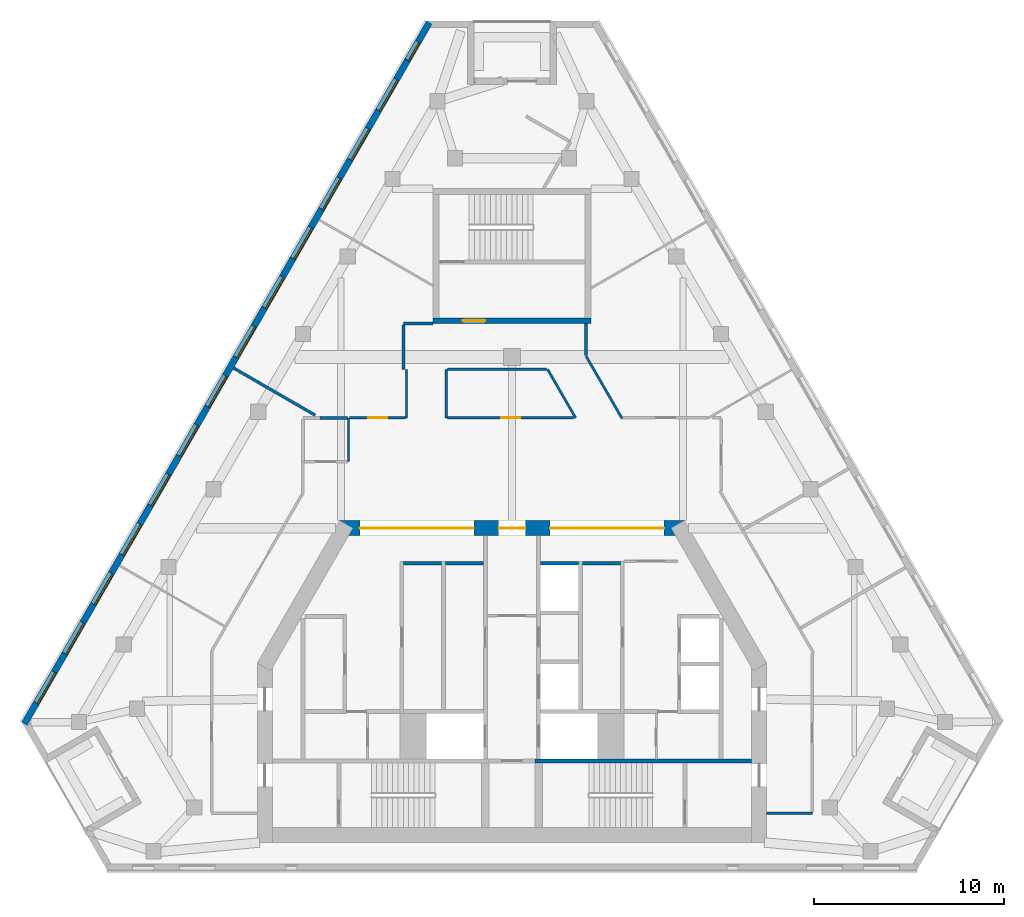
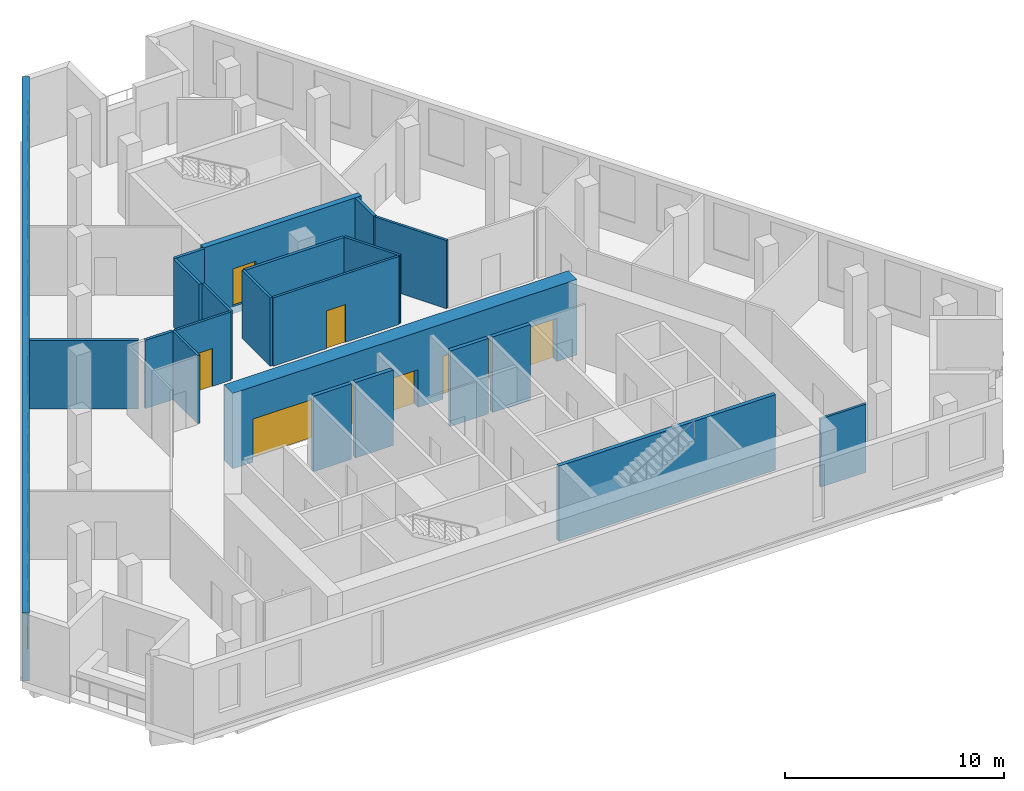
# One storey, part 4 of 8: 22 walls, 14 windows, 6 doors, 20 openings.
"""IFC4 building model written with IfcOpenShell, lengths in metres."""

from ifc_helpers import new_model, si_unit, direction, frame, frame_2d, origin, place, context, subcontext, project, spatial, rectangle, extrude, material, layer, layer_set, type_object, element, fill, save


model = new_model("IFC4")

# Units and contexts
model_context = context("Model", 3, precision=1e-05, world=origin(), true_north=direction((0.0, 1.0)))
body_context = subcontext(model_context, "Body", "Model", "MODEL_VIEW")
ifc_project = project(units=[si_unit("LENGTHUNIT", "METRE"), si_unit("AREAUNIT", "SQUARE_METRE"), si_unit("VOLUMEUNIT", "CUBIC_METRE"), si_unit("PLANEANGLEUNIT", "RADIAN"), si_unit("MASSUNIT", "GRAM", prefix="KILO")], contexts=[model_context])

# Site, building, storey
site_placement = place(None, origin())
site = spatial("IfcSite", under=ifc_project, at=site_placement, CompositionType="ELEMENT")
building_placement = place(site_placement, origin())
building = spatial("IfcBuilding", under=site, at=building_placement, Name="Fogline Exchange Tower", CompositionType="ELEMENT")
storey_placement = place(building_placement, frame((0.0, 0.0, 266.699951171875)))
storey = spatial("IfcBuildingStorey", under=building, at=storey_placement, Name="L60", CompositionType="ELEMENT", Elevation=266.699951171875)

# Walls
ifc_material_1 = material(Name="Concrete C40", Category="concrete")
ifc_layer_1 = layer(ifc_material_1, 0.199951171875)
ifc_layer_set_1 = layer_set([ifc_layer_1], Name="CW20R")
wall_type_1 = type_object("IfcWallType", Name="CW20R", PredefinedType="SOLIDWALL", material=ifc_layer_set_1)
wall_1_placement = place(storey_placement, frame((1.199951171875, 5.75, -0.39990234375), z_axis=(0.0, 0.0, 1.0), x_axis=(1.0, 0.0, 0.0)))
element("IfcWall", 1, at=wall_1_placement, inside=storey, type_object=wall_type_1, Name="Stair enclosure wall", PredefinedType="SOLIDWALL", context=body_context, shape_type="SweptSolid", body=[
    extrude(rectangle(XDim=11.400146484375, YDim=0.199951171875, at=frame_2d((5.7001953125, 0.0))), origin(), (0.0, 0.0, 1.0), 4.199951171875),
])
ifc_layer_2 = layer(ifc_material_1, 0.199951171875)
ifc_layer_set_2 = layer_set([ifc_layer_2], Name="CW20S")
wall_type_2 = type_object("IfcWallType", Name="CW20S", PredefinedType="SOLIDWALL", material=ifc_layer_set_2)
for number, where, z_axis, x_axis, name in (
    (2, (-5.699951171875, 16.14990234375, -0.39990234375), (0.0, 0.0, 1.0), (1.0, 0.0, 0.0), "Lift shaft wall"),
    (3, (-3.5, 16.14990234375, -0.39990234375), (0.0, 0.0, 1.0), (1.0, 0.0, 0.0), "Lift shaft wall"),
    (4, (3.699951171875, 16.14990234375, -0.39990234375), (0.0, 0.0, 1.0), (1.0, 0.0, 0.0), "Lift shaft wall"),
    (5, (1.5, 16.14990234375, -0.39990234375), (0.0, 0.0, 1.0), (1.0, 0.0, 0.0), "Lift shaft wall"),
):
    element("IfcWall", number, at=place(storey_placement, frame(where, z_axis=z_axis, x_axis=x_axis)), inside=storey, type_object=wall_type_2, Name=name, PredefinedType="SOLIDWALL", context=body_context, shape_type="SweptSolid", body=[
        extrude(rectangle(XDim=2.0, YDim=0.199951171875, at=frame_2d((1.0, 0.0))), origin(), (0.0, 0.0, 1.0), 4.199951171875),
    ])

# Wall, opening, door
ifc_layer_3 = layer(ifc_material_1, 0.300048828125)
ifc_layer_set_3 = layer_set([ifc_layer_3], Name="CW30")
wall_type_3 = type_object("IfcWallType", Name="CW30", PredefinedType="SOLIDWALL", material=ifc_layer_set_3)
wall_2_placement = place(storey_placement, frame((-4.14990234375, 28.906982421875, -0.39990234375), z_axis=(0.0, 0.0, 1.0), x_axis=(1.0, 0.0, 0.0)))
wall_2 = element("IfcWall", 6, at=wall_2_placement, inside=storey, type_object=wall_type_3, Name="Stair enclosure wall ST3", PredefinedType="SOLIDWALL", context=body_context, shape_type="SweptSolid", body=[
    extrude(rectangle(XDim=8.2998046875, YDim=0.300048828125, at=frame_2d((4.14990234375, 0.0))), origin(), (0.0, 0.0, 1.0), 4.199951171875),
])
opening_1_placement = place(wall_2_placement, frame((1.550048828125, 0.0, 0.39990234375)))
opening_1 = element("IfcOpeningElement", 7, at=opening_1_placement, cuts=wall_2, Name="Opening T19-C022", PredefinedType="OPENING", context=body_context, shape_type="SweptSolid", body=[
    extrude(rectangle(XDim=1.199951171875, YDim=2.10009765625, at=frame_2d((0.60009765625, 1.050048828125))), frame((0.0, 0.16015625, 0.0), z_axis=(0.0, -1.0, 0.0), x_axis=(1.0, 0.0, 0.0)), (0.0, 0.0, 1.0), 0.320068359375),
])
ifc_material_2 = material(Name="Steel and timber fire door", Category="steel")
door_type_1 = type_object("IfcDoorType", Name="D-FR1", OperationType="SINGLE_SWING_RIGHT", PredefinedType="DOOR", material=ifc_material_2)
door_1_placement = place(opening_1_placement, origin())
door_1 = element("IfcDoor", 8, at=door_1_placement, inside=storey, type_object=door_type_1, Name="Front room door ST3", OperationType="SINGLE_SWING_LEFT", OverallHeight=2.10009765625, OverallWidth=1.199951171875, PredefinedType="DOOR", context=body_context, shape_type="SweptSolid", body=[
    extrude(rectangle(XDim=1.199951171875, YDim=2.10009765625, at=frame_2d((0.60009765625, 1.050048828125))), frame((0.0, 0.02490234375, 0.0), z_axis=(0.0, -1.0, 0.0), x_axis=(1.0, 0.0, 0.0)), (0.0, 0.0, 1.0), 0.050048828125),
])
fill(opening_1, door_1)

# Wall, openings, windows
ifc_material_3 = material(Name="Brick masonry", Category="masonry")
ifc_layer_4 = layer(ifc_material_3, 0.340087890625)
ifc_layer_set_4 = layer_set([ifc_layer_4], Name="FW1")
wall_type_4 = type_object("IfcWallType", Name="FW1", PredefinedType="SOLIDWALL", material=ifc_layer_set_4)
wall_3_placement = place(storey_placement, frame((-4.352783203125, 44.5966796875, 0.0), z_axis=(0.0, 0.0, 1.0), x_axis=(-0.499998153541, -0.866026469835, 0.0)))
wall_3 = element("IfcWall", 9, at=wall_3_placement, inside=storey, type_object=wall_type_4, Name="Brick wall L60 W", PredefinedType="SOLIDWALL", context=body_context, shape_type="SweptSolid", body=[
    extrude(rectangle(XDim=42.593994140625, YDim=0.340087890625, at=frame_2d((21.296875, 0.0))), origin(), (0.0, 0.0, 1.0), 3.800048828125),
])
opening_2_placement = place(wall_3_placement, frame((3.445556640625, 0.0, 0.89990234375)))
opening_2 = element("IfcOpeningElement", 10, at=opening_2_placement, cuts=wall_3, Name="Opening W3", PredefinedType="OPENING", context=body_context, shape_type="SweptSolid", body=[
    extrude(rectangle(XDim=1.885009765625, YDim=2.60009765625, at=frame_2d((0.9423828125, 1.300048828125))), frame((0.0, 0.18017578125, 0.0), z_axis=(0.0, -1.0, 0.0), x_axis=(1.0, 0.0, 0.0)), (0.0, 0.0, 1.0), 0.360107421875),
])
opening_3_placement = place(wall_3_placement, frame((6.445556640625, 0.0, 0.89990234375)))
opening_3 = element("IfcOpeningElement", 11, at=opening_3_placement, cuts=wall_3, Name="Opening W3", PredefinedType="OPENING", context=body_context, shape_type="SweptSolid", body=[
    extrude(rectangle(XDim=1.885009765625, YDim=2.60009765625, at=frame_2d((0.9423828125, 1.300048828125))), frame((0.0, 0.18017578125, 0.0), z_axis=(0.0, -1.0, 0.0), x_axis=(1.0, 0.0, 0.0)), (0.0, 0.0, 1.0), 0.360107421875),
])
opening_4_placement = place(wall_3_placement, frame((9.445556640625, 0.0, 0.89990234375)))
opening_4 = element("IfcOpeningElement", 12, at=opening_4_placement, cuts=wall_3, Name="Opening W3", PredefinedType="OPENING", context=body_context, shape_type="SweptSolid", body=[
    extrude(rectangle(XDim=1.885009765625, YDim=2.60009765625, at=frame_2d((0.9423828125, 1.300048828125))), frame((0.0, 0.18017578125, 0.0), z_axis=(0.0, -1.0, 0.0), x_axis=(1.0, 0.0, 0.0)), (0.0, 0.0, 1.0), 0.360107421875),
])
opening_5_placement = place(wall_3_placement, frame((12.445556640625, 0.0, 0.89990234375)))
opening_5 = element("IfcOpeningElement", 13, at=opening_5_placement, cuts=wall_3, Name="Opening W3", PredefinedType="OPENING", context=body_context, shape_type="SweptSolid", body=[
    extrude(rectangle(XDim=1.885009765625, YDim=2.60009765625, at=frame_2d((0.9423828125, 1.300048828125))), frame((0.0, 0.18017578125, 0.0), z_axis=(0.0, -1.0, 0.0), x_axis=(1.0, 0.0, 0.0)), (0.0, 0.0, 1.0), 0.360107421875),
])
opening_6_placement = place(wall_3_placement, frame((15.445556640625, 0.0, 0.89990234375)))
opening_6 = element("IfcOpeningElement", 14, at=opening_6_placement, cuts=wall_3, Name="Opening W3", PredefinedType="OPENING", context=body_context, shape_type="SweptSolid", body=[
    extrude(rectangle(XDim=1.885009765625, YDim=2.60009765625, at=frame_2d((0.9423828125, 1.300048828125))), frame((0.0, 0.18017578125, 0.0), z_axis=(0.0, -1.0, 0.0), x_axis=(1.0, 0.0, 0.0)), (0.0, 0.0, 1.0), 0.360107421875),
])
opening_7_placement = place(wall_3_placement, frame((18.445556640625, 0.0, 0.89990234375)))
opening_7 = element("IfcOpeningElement", 15, at=opening_7_placement, cuts=wall_3, Name="Opening W3", PredefinedType="OPENING", context=body_context, shape_type="SweptSolid", body=[
    extrude(rectangle(XDim=1.885009765625, YDim=2.60009765625, at=frame_2d((0.9423828125, 1.300048828125))), frame((0.0, 0.18017578125, 0.0), z_axis=(0.0, -1.0, 0.0), x_axis=(1.0, 0.0, 0.0)), (0.0, 0.0, 1.0), 0.360107421875),
])
opening_8_placement = place(wall_3_placement, frame((21.445556640625, 0.0, 0.89990234375)))
opening_8 = element("IfcOpeningElement", 16, at=opening_8_placement, cuts=wall_3, Name="Opening W3", PredefinedType="OPENING", context=body_context, shape_type="SweptSolid", body=[
    extrude(rectangle(XDim=1.885009765625, YDim=2.60009765625, at=frame_2d((0.9423828125, 1.300048828125))), frame((0.0, 0.18017578125, 0.0), z_axis=(0.0, -1.0, 0.0), x_axis=(1.0, 0.0, 0.0)), (0.0, 0.0, 1.0), 0.360107421875),
])
opening_9_placement = place(wall_3_placement, frame((24.445556640625, 0.0, 0.89990234375)))
opening_9 = element("IfcOpeningElement", 17, at=opening_9_placement, cuts=wall_3, Name="Opening W3", PredefinedType="OPENING", context=body_context, shape_type="SweptSolid", body=[
    extrude(rectangle(XDim=1.885009765625, YDim=2.60009765625, at=frame_2d((0.9423828125, 1.300048828125))), frame((0.0, 0.18017578125, 0.0), z_axis=(0.0, -1.0, 0.0), x_axis=(1.0, 0.0, 0.0)), (0.0, 0.0, 1.0), 0.360107421875),
])
opening_10_placement = place(wall_3_placement, frame((27.445556640625, 0.0, 0.89990234375)))
opening_10 = element("IfcOpeningElement", 18, at=opening_10_placement, cuts=wall_3, Name="Opening W3", PredefinedType="OPENING", context=body_context, shape_type="SweptSolid", body=[
    extrude(rectangle(XDim=1.885009765625, YDim=2.60009765625, at=frame_2d((0.9423828125, 1.300048828125))), frame((0.0, 0.18017578125, 0.0), z_axis=(0.0, -1.0, 0.0), x_axis=(1.0, 0.0, 0.0)), (0.0, 0.0, 1.0), 0.360107421875),
])
opening_11_placement = place(wall_3_placement, frame((30.445556640625, 0.0, 0.89990234375)))
opening_11 = element("IfcOpeningElement", 19, at=opening_11_placement, cuts=wall_3, Name="Opening W3", PredefinedType="OPENING", context=body_context, shape_type="SweptSolid", body=[
    extrude(rectangle(XDim=1.885009765625, YDim=2.60009765625, at=frame_2d((0.9423828125, 1.300048828125))), frame((0.0, 0.18017578125, 0.0), z_axis=(0.0, -1.0, 0.0), x_axis=(1.0, 0.0, 0.0)), (0.0, 0.0, 1.0), 0.360107421875),
])
opening_12_placement = place(wall_3_placement, frame((33.445556640625, 0.0, 0.89990234375)))
opening_12 = element("IfcOpeningElement", 20, at=opening_12_placement, cuts=wall_3, Name="Opening W3", PredefinedType="OPENING", context=body_context, shape_type="SweptSolid", body=[
    extrude(rectangle(XDim=1.885009765625, YDim=2.60009765625, at=frame_2d((0.9423828125, 1.300048828125))), frame((0.0, 0.18017578125, 0.0), z_axis=(0.0, -1.0, 0.0), x_axis=(1.0, 0.0, 0.0)), (0.0, 0.0, 1.0), 0.360107421875),
])
opening_13_placement = place(wall_3_placement, frame((36.445556640625, 0.0, 0.89990234375)))
opening_13 = element("IfcOpeningElement", 21, at=opening_13_placement, cuts=wall_3, Name="Opening W3", PredefinedType="OPENING", context=body_context, shape_type="SweptSolid", body=[
    extrude(rectangle(XDim=1.885009765625, YDim=2.60009765625, at=frame_2d((0.9423828125, 1.300048828125))), frame((0.0, 0.18017578125, 0.0), z_axis=(0.0, -1.0, 0.0), x_axis=(1.0, 0.0, 0.0)), (0.0, 0.0, 1.0), 0.360107421875),
])
opening_14_placement = place(wall_3_placement, frame((39.445556640625, 0.0, 0.89990234375)))
opening_14 = element("IfcOpeningElement", 22, at=opening_14_placement, cuts=wall_3, Name="Opening W3", PredefinedType="OPENING", context=body_context, shape_type="SweptSolid", body=[
    extrude(rectangle(XDim=1.885009765625, YDim=2.60009765625, at=frame_2d((0.9423828125, 1.300048828125))), frame((0.0, 0.18017578125, 0.0), z_axis=(0.0, -1.0, 0.0), x_axis=(1.0, 0.0, 0.0)), (0.0, 0.0, 1.0), 0.360107421875),
])
opening_15_placement = place(wall_3_placement, frame((1.165283203125, 0.0, 0.89990234375)))
opening_15 = element("IfcOpeningElement", 23, at=opening_15_placement, cuts=wall_3, Name="Opening W4", PredefinedType="OPENING", context=body_context, shape_type="SweptSolid", body=[
    extrude(rectangle(XDim=1.114990234375, YDim=2.39990234375, at=frame_2d((0.5576171875, 1.199951171875))), frame((0.0, 0.18017578125, 0.0), z_axis=(0.0, -1.0, 0.0), x_axis=(1.0, 0.0, 0.0)), (0.0, 0.0, 1.0), 0.360107421875),
])
ifc_material_4 = material(Name="Aluminium and glass", Category="aluminium")
window_type_1 = type_object("IfcWindowType", Name="W3", PartitioningType="SINGLE_PANEL", PredefinedType="WINDOW", material=ifc_material_4)
window_1_placement = place(opening_2_placement, origin())
window_1 = element("IfcWindow", 24, at=window_1_placement, inside=storey, type_object=window_type_1, Name="W3 W3", OverallHeight=2.60009765625, OverallWidth=1.885009765625, PartitioningType="SINGLE_PANEL", PredefinedType="WINDOW", context=body_context, shape_type="SweptSolid", body=[
    extrude(rectangle(XDim=1.885009765625, YDim=2.60009765625, at=frame_2d((0.9423828125, 1.300048828125))), frame((0.0, 0.110107421875, 0.0), z_axis=(0.0, -1.0, 0.0), x_axis=(1.0, 0.0, 0.0)), (0.0, 0.0, 1.0), 0.06005859375),
])
fill(opening_2, window_1)
window_2_placement = place(opening_3_placement, origin())
window_2 = element("IfcWindow", 25, at=window_2_placement, inside=storey, type_object=window_type_1, Name="W3 W3", OverallHeight=2.60009765625, OverallWidth=1.885009765625, PartitioningType="SINGLE_PANEL", PredefinedType="WINDOW", context=body_context, shape_type="SweptSolid", body=[
    extrude(rectangle(XDim=1.885009765625, YDim=2.60009765625, at=frame_2d((0.9423828125, 1.300048828125))), frame((0.0, 0.110107421875, 0.0), z_axis=(0.0, -1.0, 0.0), x_axis=(1.0, 0.0, 0.0)), (0.0, 0.0, 1.0), 0.06005859375),
])
fill(opening_3, window_2)
window_3_placement = place(opening_4_placement, origin())
window_3 = element("IfcWindow", 26, at=window_3_placement, inside=storey, type_object=window_type_1, Name="W3 W3", OverallHeight=2.60009765625, OverallWidth=1.885009765625, PartitioningType="SINGLE_PANEL", PredefinedType="WINDOW", context=body_context, shape_type="SweptSolid", body=[
    extrude(rectangle(XDim=1.885009765625, YDim=2.60009765625, at=frame_2d((0.9423828125, 1.300048828125))), frame((0.0, 0.110107421875, 0.0), z_axis=(0.0, -1.0, 0.0), x_axis=(1.0, 0.0, 0.0)), (0.0, 0.0, 1.0), 0.06005859375),
])
fill(opening_4, window_3)
window_4_placement = place(opening_5_placement, origin())
window_4 = element("IfcWindow", 27, at=window_4_placement, inside=storey, type_object=window_type_1, Name="W3 W3", OverallHeight=2.60009765625, OverallWidth=1.885009765625, PartitioningType="SINGLE_PANEL", PredefinedType="WINDOW", context=body_context, shape_type="SweptSolid", body=[
    extrude(rectangle(XDim=1.885009765625, YDim=2.60009765625, at=frame_2d((0.9423828125, 1.300048828125))), frame((0.0, 0.110107421875, 0.0), z_axis=(0.0, -1.0, 0.0), x_axis=(1.0, 0.0, 0.0)), (0.0, 0.0, 1.0), 0.06005859375),
])
fill(opening_5, window_4)
window_5_placement = place(opening_6_placement, origin())
window_5 = element("IfcWindow", 28, at=window_5_placement, inside=storey, type_object=window_type_1, Name="W3 W3", OverallHeight=2.60009765625, OverallWidth=1.885009765625, PartitioningType="SINGLE_PANEL", PredefinedType="WINDOW", context=body_context, shape_type="SweptSolid", body=[
    extrude(rectangle(XDim=1.885009765625, YDim=2.60009765625, at=frame_2d((0.9423828125, 1.300048828125))), frame((0.0, 0.110107421875, 0.0), z_axis=(0.0, -1.0, 0.0), x_axis=(1.0, 0.0, 0.0)), (0.0, 0.0, 1.0), 0.06005859375),
])
fill(opening_6, window_5)
window_6_placement = place(opening_7_placement, origin())
window_6 = element("IfcWindow", 29, at=window_6_placement, inside=storey, type_object=window_type_1, Name="W3 W3", OverallHeight=2.60009765625, OverallWidth=1.885009765625, PartitioningType="SINGLE_PANEL", PredefinedType="WINDOW", context=body_context, shape_type="SweptSolid", body=[
    extrude(rectangle(XDim=1.885009765625, YDim=2.60009765625, at=frame_2d((0.9423828125, 1.300048828125))), frame((0.0, 0.110107421875, 0.0), z_axis=(0.0, -1.0, 0.0), x_axis=(1.0, 0.0, 0.0)), (0.0, 0.0, 1.0), 0.06005859375),
])
fill(opening_7, window_6)
window_7_placement = place(opening_8_placement, origin())
window_7 = element("IfcWindow", 30, at=window_7_placement, inside=storey, type_object=window_type_1, Name="W3 W3", OverallHeight=2.60009765625, OverallWidth=1.885009765625, PartitioningType="SINGLE_PANEL", PredefinedType="WINDOW", context=body_context, shape_type="SweptSolid", body=[
    extrude(rectangle(XDim=1.885009765625, YDim=2.60009765625, at=frame_2d((0.9423828125, 1.300048828125))), frame((0.0, 0.110107421875, 0.0), z_axis=(0.0, -1.0, 0.0), x_axis=(1.0, 0.0, 0.0)), (0.0, 0.0, 1.0), 0.06005859375),
])
fill(opening_8, window_7)
window_8_placement = place(opening_9_placement, origin())
window_8 = element("IfcWindow", 31, at=window_8_placement, inside=storey, type_object=window_type_1, Name="W3 W3", OverallHeight=2.60009765625, OverallWidth=1.885009765625, PartitioningType="SINGLE_PANEL", PredefinedType="WINDOW", context=body_context, shape_type="SweptSolid", body=[
    extrude(rectangle(XDim=1.885009765625, YDim=2.60009765625, at=frame_2d((0.9423828125, 1.300048828125))), frame((0.0, 0.110107421875, 0.0), z_axis=(0.0, -1.0, 0.0), x_axis=(1.0, 0.0, 0.0)), (0.0, 0.0, 1.0), 0.06005859375),
])
fill(opening_9, window_8)
window_9_placement = place(opening_10_placement, origin())
window_9 = element("IfcWindow", 32, at=window_9_placement, inside=storey, type_object=window_type_1, Name="W3 W3", OverallHeight=2.60009765625, OverallWidth=1.885009765625, PartitioningType="SINGLE_PANEL", PredefinedType="WINDOW", context=body_context, shape_type="SweptSolid", body=[
    extrude(rectangle(XDim=1.885009765625, YDim=2.60009765625, at=frame_2d((0.9423828125, 1.300048828125))), frame((0.0, 0.110107421875, 0.0), z_axis=(0.0, -1.0, 0.0), x_axis=(1.0, 0.0, 0.0)), (0.0, 0.0, 1.0), 0.06005859375),
])
fill(opening_10, window_9)
window_10_placement = place(opening_11_placement, origin())
window_10 = element("IfcWindow", 33, at=window_10_placement, inside=storey, type_object=window_type_1, Name="W3 W3", OverallHeight=2.60009765625, OverallWidth=1.885009765625, PartitioningType="SINGLE_PANEL", PredefinedType="WINDOW", context=body_context, shape_type="SweptSolid", body=[
    extrude(rectangle(XDim=1.885009765625, YDim=2.60009765625, at=frame_2d((0.9423828125, 1.300048828125))), frame((0.0, 0.110107421875, 0.0), z_axis=(0.0, -1.0, 0.0), x_axis=(1.0, 0.0, 0.0)), (0.0, 0.0, 1.0), 0.06005859375),
])
fill(opening_11, window_10)
window_11_placement = place(opening_12_placement, origin())
window_11 = element("IfcWindow", 34, at=window_11_placement, inside=storey, type_object=window_type_1, Name="W3 W3", OverallHeight=2.60009765625, OverallWidth=1.885009765625, PartitioningType="SINGLE_PANEL", PredefinedType="WINDOW", context=body_context, shape_type="SweptSolid", body=[
    extrude(rectangle(XDim=1.885009765625, YDim=2.60009765625, at=frame_2d((0.9423828125, 1.300048828125))), frame((0.0, 0.110107421875, 0.0), z_axis=(0.0, -1.0, 0.0), x_axis=(1.0, 0.0, 0.0)), (0.0, 0.0, 1.0), 0.06005859375),
])
fill(opening_12, window_11)
window_12_placement = place(opening_13_placement, origin())
window_12 = element("IfcWindow", 35, at=window_12_placement, inside=storey, type_object=window_type_1, Name="W3 W3", OverallHeight=2.60009765625, OverallWidth=1.885009765625, PartitioningType="SINGLE_PANEL", PredefinedType="WINDOW", context=body_context, shape_type="SweptSolid", body=[
    extrude(rectangle(XDim=1.885009765625, YDim=2.60009765625, at=frame_2d((0.9423828125, 1.300048828125))), frame((0.0, 0.110107421875, 0.0), z_axis=(0.0, -1.0, 0.0), x_axis=(1.0, 0.0, 0.0)), (0.0, 0.0, 1.0), 0.06005859375),
])
fill(opening_13, window_12)
window_13_placement = place(opening_14_placement, origin())
window_13 = element("IfcWindow", 36, at=window_13_placement, inside=storey, type_object=window_type_1, Name="W3 W3", OverallHeight=2.60009765625, OverallWidth=1.885009765625, PartitioningType="SINGLE_PANEL", PredefinedType="WINDOW", context=body_context, shape_type="SweptSolid", body=[
    extrude(rectangle(XDim=1.885009765625, YDim=2.60009765625, at=frame_2d((0.9423828125, 1.300048828125))), frame((0.0, 0.110107421875, 0.0), z_axis=(0.0, -1.0, 0.0), x_axis=(1.0, 0.0, 0.0)), (0.0, 0.0, 1.0), 0.06005859375),
])
fill(opening_14, window_13)
window_type_2 = type_object("IfcWindowType", Name="W4", PartitioningType="SINGLE_PANEL", PredefinedType="WINDOW", material=ifc_material_4)
window_14_placement = place(opening_15_placement, origin())
window_14 = element("IfcWindow", 37, at=window_14_placement, inside=storey, type_object=window_type_2, Name="W4 W4", OverallHeight=2.39990234375, OverallWidth=1.114990234375, PartitioningType="SINGLE_PANEL", PredefinedType="WINDOW", context=body_context, shape_type="SweptSolid", body=[
    extrude(rectangle(XDim=1.114990234375, YDim=2.39990234375, at=frame_2d((0.5576171875, 1.199951171875))), frame((0.0, 0.110107421875, 0.0), z_axis=(0.0, -1.0, 0.0), x_axis=(1.0, 0.0, 0.0)), (0.0, 0.0, 1.0), 0.06005859375),
])
fill(opening_15, window_14)

# Wall
ifc_material_5 = material(Name="Plasterboard corridor partition with mineral wool, 2 layers each side")
ifc_layer_5 = layer(ifc_material_5, 0.125)
ifc_layer_set_5 = layer_set([ifc_layer_5], Name="PW2")
wall_type_5 = type_object("IfcWallType", Name="PW2", PredefinedType="PARTITIONING", material=ifc_layer_set_5)
wall_4_placement = place(storey_placement, frame((15.800048828125, 3.0, 0.0), z_axis=(0.0, 0.0, 1.0), x_axis=(-1.0, 0.0, 0.0)))
element("IfcWall", 38, at=wall_4_placement, inside=storey, type_object=wall_type_5, Name="wall-L60-W004", PredefinedType="PARTITIONING", context=body_context, shape_type="SweptSolid", body=[
    extrude(rectangle(XDim=2.400146484375, YDim=0.125, at=frame_2d((1.2001953125, 0.0))), origin(), (0.0, 0.0, 1.0), 3.800048828125),
])

# Wall, opening, door
wall_5_placement = place(storey_placement, frame((-3.387451171875, 23.800048828125, 0.0), z_axis=(0.0, 0.0, 1.0), x_axis=(1.0, 0.0, 0.0)))
wall_5 = element("IfcWall", 39, at=wall_5_placement, inside=storey, type_object=wall_type_5, Name="wall-L60-W009", PredefinedType="PARTITIONING", context=body_context, shape_type="SweptSolid", body=[
    extrude(rectangle(XDim=6.625, YDim=0.125, at=frame_2d((3.3125, 0.0))), origin(), (0.0, 0.0, 1.0), 3.800048828125),
])
opening_16_placement = place(wall_5_placement, frame((2.8125, 0.0, 0.0)))
opening_16 = element("IfcOpeningElement", 40, at=opening_16_placement, cuts=wall_5, Name="Opening T19-D005", PredefinedType="OPENING", context=body_context, shape_type="SweptSolid", body=[
    extrude(rectangle(XDim=1.0, YDim=2.10009765625, at=frame_2d((0.5, 1.050048828125))), frame((0.0, 0.072509765625, 0.0), z_axis=(0.0, -1.0, 0.0), x_axis=(1.0, 0.0, 0.0)), (0.0, 0.0, 1.0), 0.14501953125),
])
ifc_material_6 = material(Name="Fire-rated timber door leaf with steel frame", Category="steel")
door_type_2 = type_object("IfcDoorType", Name="D3", OperationType="SINGLE_SWING_LEFT", PredefinedType="DOOR", material=ifc_material_6)
door_2_placement = place(opening_16_placement, origin())
door_2 = element("IfcDoor", 41, at=door_2_placement, inside=storey, type_object=door_type_2, Name="door-L60-D005", OperationType="SINGLE_SWING_LEFT", OverallHeight=2.10009765625, OverallWidth=1.0, PredefinedType="DOOR", context=body_context, shape_type="SweptSolid", body=[
    extrude(rectangle(XDim=1.0, YDim=2.10009765625, at=frame_2d((0.5, 1.050048828125))), frame((0.0, 0.02490234375, 0.0), z_axis=(0.0, -1.0, 0.0), x_axis=(1.0, 0.0, 0.0)), (0.0, 0.0, 1.0), 0.050048828125),
])
fill(opening_16, door_2)

wall_6_placement = place(storey_placement, frame((-8.537109375, 23.800048828125, 0.0), z_axis=(0.0, 0.0, 1.0), x_axis=(1.0, 0.0, 0.0)))
wall_6 = element("IfcWall", 42, at=wall_6_placement, inside=storey, type_object=wall_type_5, Name="wall-L60-W010", PredefinedType="PARTITIONING", context=body_context, shape_type="SweptSolid", body=[
    extrude(rectangle(XDim=2.924560546875, YDim=0.125, at=frame_2d((1.46240234375, 0.0))), origin(), (0.0, 0.0, 1.0), 3.800048828125),
])
opening_17_placement = place(wall_6_placement, frame((0.96240234375, 0.0, 0.0)))
opening_17 = element("IfcOpeningElement", 43, at=opening_17_placement, cuts=wall_6, Name="Opening T19-D006", PredefinedType="OPENING", context=body_context, shape_type="SweptSolid", body=[
    extrude(rectangle(XDim=1.0, YDim=2.10009765625, at=frame_2d((0.5, 1.050048828125))), frame((0.0, 0.072509765625, 0.0), z_axis=(0.0, -1.0, 0.0), x_axis=(1.0, 0.0, 0.0)), (0.0, 0.0, 1.0), 0.14501953125),
])
door_3_placement = place(opening_17_placement, origin())
door_3 = element("IfcDoor", 44, at=door_3_placement, inside=storey, type_object=door_type_2, Name="door-L60-D006", OperationType="SINGLE_SWING_RIGHT", OverallHeight=2.10009765625, OverallWidth=1.0, PredefinedType="DOOR", context=body_context, shape_type="SweptSolid", body=[
    extrude(rectangle(XDim=1.0, YDim=2.10009765625, at=frame_2d((0.5, 1.050048828125))), frame((0.0, 0.02490234375, 0.0), z_axis=(0.0, -1.0, 0.0), x_axis=(1.0, 0.0, 0.0)), (0.0, 0.0, 1.0), 0.050048828125),
])
fill(opening_17, door_3)

# Walls
wall_7_placement = place(storey_placement, frame((-8.60009765625, 21.5, 0.0), z_axis=(0.0, 0.0, 1.0), x_axis=(0.0, 1.0, 0.0)))
element("IfcWall", 45, at=wall_7_placement, inside=storey, type_object=wall_type_5, Name="wall-L60-W012", PredefinedType="PARTITIONING", context=body_context, shape_type="SweptSolid", body=[
    extrude(rectangle(XDim=2.300048828125, YDim=0.125, at=frame_2d((1.14990234375, 0.0))), origin(), (0.0, 0.0, 1.0), 3.800048828125),
])
for number, where, z_axis, x_axis, name in (
    (46, (-3.449951171875, 26.35693359375, 0.0), (0.0, 0.0, 1.0), (0.0, -1.0, 0.0), "wall-L60-W022"),
    (47, (-5.550048828125, 23.800048828125, 0.0), (0.0, 0.0, 1.0), (0.0, 1.0, 0.0), "wall-L60-W023"),
):
    element("IfcWall", number, at=place(storey_placement, frame(where, z_axis=z_axis, x_axis=x_axis)), inside=storey, type_object=wall_type_5, Name=name, PredefinedType="PARTITIONING", context=body_context, shape_type="SweptSolid", body=[
        extrude(rectangle(XDim=2.556884765625, YDim=0.125, at=frame_2d((1.2783203125, 0.0))), origin(), (0.0, 0.0, 1.0), 3.800048828125),
    ])
wall_8_placement = place(storey_placement, frame((3.89990234375, 27.041015625, 0.0), z_axis=(0.0, 0.0, 1.0), x_axis=(0.499989064333, -0.866031717402, 0.0)))
element("IfcWall", 48, at=wall_8_placement, inside=storey, type_object=wall_type_5, Name="wall-L60-W024", PredefinedType="PARTITIONING", context=body_context, shape_type="SweptSolid", body=[
    extrude(rectangle(XDim=3.7783203125, YDim=0.125, at=frame_2d((1.88916015625, 0.0))), origin(), (0.0, 0.0, 1.0), 3.800048828125),
])
wall_9_placement = place(storey_placement, frame((3.34619140625, 23.800048828125, 0.0), z_axis=(0.0, 0.0, 1.0), x_axis=(-0.499963446908, 0.866046506693, 0.0)))
element("IfcWall", 49, at=wall_9_placement, inside=storey, type_object=wall_type_5, Name="wall-L60-W025", PredefinedType="PARTITIONING", context=body_context, shape_type="SweptSolid", body=[
    extrude(rectangle(XDim=2.952392578125, YDim=0.125, at=frame_2d((1.47607421875, 0.0))), origin(), (0.0, 0.0, 1.0), 3.800048828125),
])
ifc_material_7 = material(Name="Plasterboard demising partition with mineral wool and acoustic board")
ifc_layer_6 = layer(ifc_material_7, 0.14990234375)
ifc_layer_set_6 = layer_set([ifc_layer_6], Name="PW3")
wall_type_6 = type_object("IfcWallType", Name="PW3", PredefinedType="PARTITIONING", material=ifc_layer_set_6)
wall_10_placement = place(storey_placement, frame((-8.6630859375, 23.800048828125, 0.0), z_axis=(0.0, 0.0, 1.0), x_axis=(-1.0, 0.0, 0.0)))
element("IfcWall", 50, at=wall_10_placement, inside=storey, type_object=wall_type_6, Name="wall-L60-W034", PredefinedType="PARTITIONING", context=body_context, shape_type="SweptSolid", body=[
    extrude(rectangle(XDim=1.44482421875, YDim=0.14990234375, at=frame_2d((0.722412109375, 0.0))), origin(), (0.0, 0.0, 1.0), 3.800048828125),
])
wall_11_placement = place(storey_placement, frame((-10.3505859375, 23.940185546875, 0.0), z_axis=(0.0, 0.0, 1.0), x_axis=(-0.866025053231, 0.500000607176, 0.0)))
element("IfcWall", 51, at=wall_11_placement, inside=storey, type_object=wall_type_6, Name="wall-L60-W035", PredefinedType="PARTITIONING", context=body_context, shape_type="SweptSolid", body=[
    extrude(rectangle(XDim=4.9638671875, YDim=0.14990234375, at=frame_2d((2.48193359375, 0.0))), origin(), (0.0, 0.0, 1.0), 3.800048828125),
])
ifc_material_8 = material(Name="Plasterboard stair lobby partition, 3 layers each side on steel studs", Category="steel")
ifc_layer_7 = layer(ifc_material_8, 0.14990234375)
ifc_layer_set_7 = layer_set([ifc_layer_7], Name="PW4")
wall_type_7 = type_object("IfcWallType", Name="PW4", PredefinedType="PARTITIONING", material=ifc_layer_set_7)
wall_12_placement = place(storey_placement, frame((3.89990234375, 28.757080078125, 0.0), z_axis=(0.0, 0.0, 1.0), x_axis=(0.0, -1.0, 0.0)))
element("IfcWall", 52, at=wall_12_placement, inside=storey, type_object=wall_type_7, Name="wall-L60-W018", PredefinedType="PARTITIONING", context=body_context, shape_type="SweptSolid", body=[
    extrude(rectangle(XDim=1.68505859375, YDim=0.14990234375, at=frame_2d((0.842529296875, 0.0))), origin(), (0.0, 0.0, 1.0), 3.800048828125),
])
wall_13_placement = place(storey_placement, frame((1.816162109375, 26.35693359375, 0.0), z_axis=(0.0, 0.0, 1.0), x_axis=(-1.0, 0.0, 0.0)))
element("IfcWall", 53, at=wall_13_placement, inside=storey, type_object=wall_type_7, Name="wall-L60-W019", PredefinedType="PARTITIONING", context=body_context, shape_type="SweptSolid", body=[
    extrude(rectangle(XDim=5.20361328125, YDim=0.14990234375, at=frame_2d((2.601806640625, 0.0))), origin(), (0.0, 0.0, 1.0), 3.800048828125),
])
wall_14_placement = place(storey_placement, frame((-5.699951171875, 26.35693359375, 0.0), z_axis=(0.0, 0.0, 1.0), x_axis=(0.0, 1.0, 0.0)))
element("IfcWall", 54, at=wall_14_placement, inside=storey, type_object=wall_type_7, Name="wall-L60-W020", PredefinedType="PARTITIONING", context=body_context, shape_type="SweptSolid", body=[
    extrude(rectangle(XDim=2.324951171875, YDim=0.14990234375, at=frame_2d((1.16259765625, 0.0))), origin(), (0.0, 0.0, 1.0), 3.800048828125),
])
wall_15_placement = place(storey_placement, frame((-5.699951171875, 28.757080078125, 0.0), z_axis=(0.0, 0.0, 1.0), x_axis=(1.0, 0.0, 0.0)))
element("IfcWall", 55, at=wall_15_placement, inside=storey, type_object=wall_type_7, Name="wall-L60-W021", PredefinedType="PARTITIONING", context=body_context, shape_type="SweptSolid", body=[
    extrude(rectangle(XDim=1.550048828125, YDim=0.14990234375, at=frame_2d((0.77490234375, 0.0))), origin(), (0.0, 0.0, 1.0), 3.800048828125),
])

# Wall, openings, doors
ifc_material_9 = material(Name="Concrete C50", Category="concrete")
ifc_layer_8 = layer(ifc_material_9, 0.800048828125)
ifc_layer_set_8 = layer_set([ifc_layer_8], Name="SW04")
wall_type_8 = type_object("IfcWallType", Name="SW04", PredefinedType="SHEAR", material=ifc_layer_set_8)
wall_16_placement = place(storey_placement, frame((9.065185546875, 18.0, 0.0), z_axis=(0.0, 0.0, 1.0), x_axis=(-1.0, 0.0, 0.0)))
wall_16 = element("IfcWall", 56, at=wall_16_placement, inside=storey, type_object=wall_type_8, Name="L60-W904", PredefinedType="SHEAR", context=body_context, shape_type="SweptSolid", body=[
    extrude(rectangle(XDim=18.13037109375, YDim=0.800048828125, at=frame_2d((9.065185546875, 0.0))), origin(), (0.0, 0.0, 1.0), 4.199951171875),
])
opening_18_placement = place(wall_16_placement, frame((8.364990234375, 0.0, 0.0)))
opening_18 = element("IfcOpeningElement", 57, at=opening_18_placement, cuts=wall_16, Name="Opening T19-C019", PredefinedType="OPENING", context=body_context, shape_type="SweptSolid", body=[
    extrude(rectangle(XDim=1.39990234375, YDim=2.10009765625, at=frame_2d((0.699951171875, 1.050048828125))), frame((0.0, 0.41015625, 0.0), z_axis=(0.0, -1.0, 0.0), x_axis=(1.0, 0.0, 0.0)), (0.0, 0.0, 1.0), 0.820068359375),
])
opening_19_placement = place(wall_16_placement, frame((11.065185546875, 0.0, 0.0)))
opening_19 = element("IfcOpeningElement", 58, at=opening_19_placement, cuts=wall_16, Name="Opening T19-C020", PredefinedType="OPENING", context=body_context, shape_type="SweptSolid", body=[
    extrude(rectangle(XDim=6.0, YDim=2.39990234375, at=frame_2d((3.0, 1.199951171875))), frame((0.0, 0.41015625, 0.0), z_axis=(0.0, -1.0, 0.0), x_axis=(1.0, 0.0, 0.0)), (0.0, 0.0, 1.0), 0.820068359375),
])
opening_20_placement = place(wall_16_placement, frame((1.065185546875, 0.0, 0.0)))
opening_20 = element("IfcOpeningElement", 59, at=opening_20_placement, cuts=wall_16, Name="Opening T19-C021", PredefinedType="OPENING", context=body_context, shape_type="SweptSolid", body=[
    extrude(rectangle(XDim=6.0, YDim=2.39990234375, at=frame_2d((3.0, 1.199951171875))), frame((0.0, 0.41015625, 0.0), z_axis=(0.0, -1.0, 0.0), x_axis=(1.0, 0.0, 0.0)), (0.0, 0.0, 1.0), 0.820068359375),
])
door_type_3 = type_object("IfcDoorType", Name="D-LB1", OperationType="DOUBLE_DOOR_SINGLE_SWING", PredefinedType="DOOR", material=ifc_material_2)
door_4_placement = place(opening_18_placement, origin())
door_4 = element("IfcDoor", 60, at=door_4_placement, inside=storey, type_object=door_type_3, Name="Protected lobby door", OperationType="DOUBLE_DOOR_SINGLE_SWING", OverallHeight=2.10009765625, OverallWidth=1.39990234375, PredefinedType="DOOR", context=body_context, shape_type="SweptSolid", body=[
    extrude(rectangle(XDim=1.39990234375, YDim=2.10009765625, at=frame_2d((0.699951171875, 1.050048828125))), frame((0.0, 0.02490234375, 0.0), z_axis=(0.0, -1.0, 0.0), x_axis=(1.0, 0.0, 0.0)), (0.0, 0.0, 1.0), 0.050048828125),
])
fill(opening_18, door_4)
door_type_4 = type_object("IfcDoorType", Name="D-LE1", OperationType="DOUBLE_DOOR_SLIDING", PredefinedType="DOOR", material=ifc_material_2)
door_5_placement = place(opening_19_placement, origin())
door_5 = element("IfcDoor", 61, at=door_5_placement, inside=storey, type_object=door_type_4, Name="Lift lobby entrance west", OperationType="DOUBLE_DOOR_SLIDING", OverallHeight=2.39990234375, OverallWidth=6.0, PredefinedType="DOOR", context=body_context, shape_type="SweptSolid", body=[
    extrude(rectangle(XDim=6.0, YDim=2.39990234375, at=frame_2d((3.0, 1.199951171875))), frame((0.0, 0.02490234375, 0.0), z_axis=(0.0, -1.0, 0.0), x_axis=(1.0, 0.0, 0.0)), (0.0, 0.0, 1.0), 0.050048828125),
])
fill(opening_19, door_5)
door_6_placement = place(opening_20_placement, origin())
door_6 = element("IfcDoor", 62, at=door_6_placement, inside=storey, type_object=door_type_4, Name="Lift lobby entrance east", OperationType="DOUBLE_DOOR_SLIDING", OverallHeight=2.39990234375, OverallWidth=6.0, PredefinedType="DOOR", context=body_context, shape_type="SweptSolid", body=[
    extrude(rectangle(XDim=6.0, YDim=2.39990234375, at=frame_2d((3.0, 1.199951171875))), frame((0.0, 0.02490234375, 0.0), z_axis=(0.0, -1.0, 0.0), x_axis=(1.0, 0.0, 0.0)), (0.0, 0.0, 1.0), 0.050048828125),
])
fill(opening_20, door_6)

save(model, "model.ifc")
